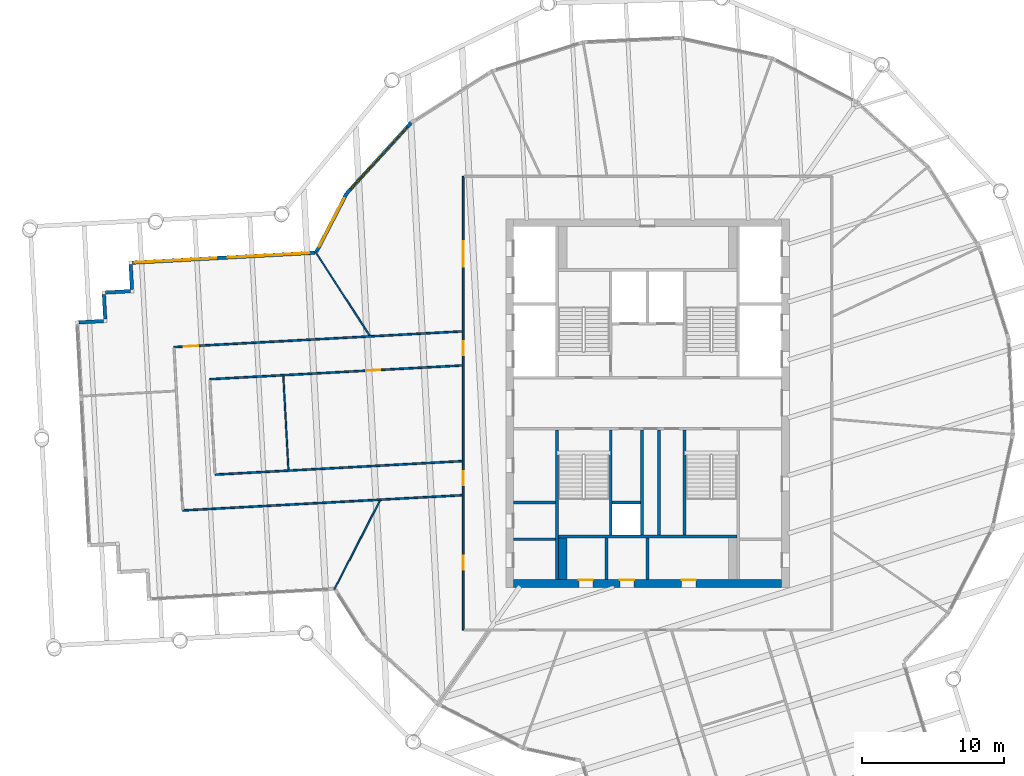
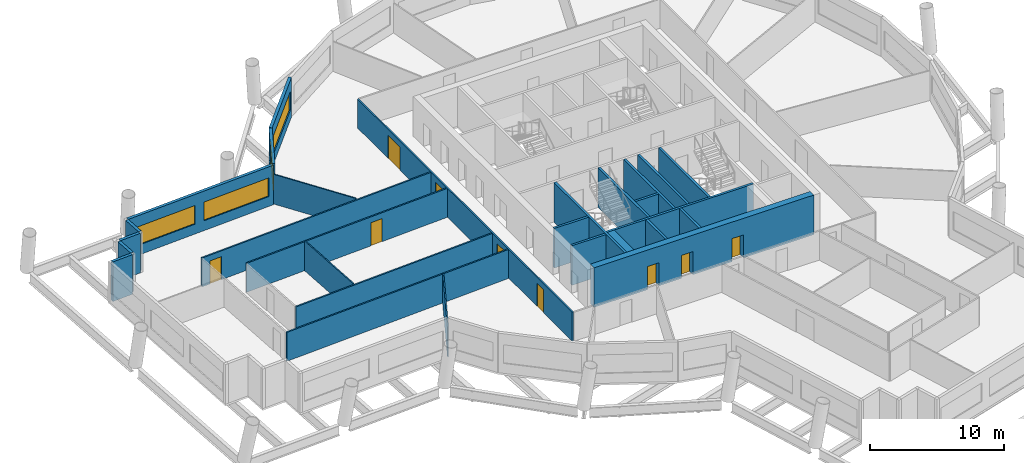
# One storey, part 4 of 11: 28 walls, 9 doors, 4 windows, 13 openings.
"""IFC4 building model written with IfcOpenShell, lengths in metres."""

from ifc_helpers import new_model, si_unit, direction, frame, frame_2d, origin, place, context, subcontext, project, spatial, rectangle, extrude, material, layer, layer_set, type_object, element, fill, save


model = new_model("IFC4")

# Units and contexts
model_context = context("Model", 3, precision=1e-05, world=origin(), true_north=direction((0.0, 1.0)))
body_context = subcontext(model_context, "Body", "Model", "MODEL_VIEW")
ifc_project = project(units=[si_unit("LENGTHUNIT", "METRE"), si_unit("AREAUNIT", "SQUARE_METRE"), si_unit("VOLUMEUNIT", "CUBIC_METRE"), si_unit("PLANEANGLEUNIT", "RADIAN"), si_unit("MASSUNIT", "GRAM", prefix="KILO")], contexts=[model_context])

# Site, building, storey
site_placement = place(None, origin())
site = spatial("IfcSite", under=ifc_project, at=site_placement, CompositionType="ELEMENT")
building_placement = place(site_placement, origin())
building = spatial("IfcBuilding", under=site, at=building_placement, Name="Tarsis Ring Headquarters", CompositionType="ELEMENT")
storey_placement = place(building_placement, frame((0.0, 0.0, 298.10009765625)))
storey = spatial("IfcBuildingStorey", under=building, at=storey_placement, Name="L70", CompositionType="ELEMENT", Elevation=298.10009765625)

# Walls
ifc_material_1 = material(Name="Blockwork", Category="masonry")
ifc_layer_1 = layer(ifc_material_1, 0.199951171875)
ifc_layer_set_1 = layer_set([ifc_layer_1], Name="Core blockwork wall 200")
wall_type_1 = type_object("IfcWallType", Name="Core blockwork wall 200", PredefinedType="PARTITIONING", material=ifc_layer_set_1)
for number, where, z_axis, x_axis, name in (
    (1, (-9.449951171875, -9.60009765625, 0.0), (0.0, 0.0, 1.0), (1.0, 0.0, 0.0), "Core partition WD1"),
    (2, (-9.449951171875, -7.0, 0.0), (0.0, 0.0, 1.0), (1.0, 0.0, 0.0), "Core partition WD2"),
    (3, (-2.89990234375, -12.449951171875, 0.0), (0.0, 0.0, 1.0), (0.0, 1.0, 0.0), "Core partition SD1"),
    (4, (0.0, -12.449951171875, 0.0), (0.0, 0.0, 1.0), (0.0, 1.0, 0.0), "Core partition SD2"),
):
    element("IfcWall", number, at=place(storey_placement, frame(where, z_axis=z_axis, x_axis=x_axis)), inside=storey, type_object=wall_type_1, Name=name, PredefinedType="PARTITIONING", context=body_context, shape_type="SweptSolid", body=[
        extrude(rectangle(XDim=2.949951171875, YDim=0.199951171875, at=frame_2d((1.47509765625, 0.0))), origin(), (0.0, 0.0, 1.0), 3.599853515625),
    ])
wall_1_placement = place(storey_placement, frame((-2.5, -7.0, 0.0), z_axis=(0.0, 0.0, 1.0), x_axis=(1.0, 0.0, 0.0)))
element("IfcWall", 5, at=wall_1_placement, inside=storey, type_object=wall_type_1, Name="Core partition SP1", PredefinedType="PARTITIONING", context=body_context, shape_type="SweptSolid", body=[
    extrude(rectangle(XDim=2.0, YDim=0.199951171875, at=frame_2d((1.0, 0.0))), origin(), (0.0, 0.0, 1.0), 3.599853515625),
])
for number, where, z_axis, x_axis, name in (
    (6, (-0.39990234375, -9.300048828125, 0.0), (0.0, 0.0, 1.0), (0.0, 1.0, 0.0), "Core partition SV1"),
    (7, (0.800048828125, -9.300048828125, 0.0), (0.0, 0.0, 1.0), (0.0, 1.0, 0.0), "Core partition SV2"),
):
    element("IfcWall", number, at=place(storey_placement, frame(where, z_axis=z_axis, x_axis=x_axis)), inside=storey, type_object=wall_type_1, Name=name, PredefinedType="PARTITIONING", context=body_context, shape_type="SweptSolid", body=[
        extrude(rectangle(XDim=7.400146484375, YDim=0.199951171875, at=frame_2d((3.7001953125, 0.0))), origin(), (0.0, 0.0, 1.0), 3.599853515625),
    ])

# Wall, openings, doors
ifc_material_2 = material(Name="Concrete C50/60", Category="concrete")
ifc_layer_2 = layer(ifc_material_2, 0.550048828125)
ifc_layer_set_2 = layer_set([ifc_layer_2], Name="Core wall 550 C50/60")
wall_type_2 = type_object("IfcWallType", Name="Core wall 550 C50/60", PredefinedType="SHEAR", material=ifc_layer_set_2)
wall_2_placement = place(storey_placement, frame((-9.449951171875, -12.72509765625, 0.0), z_axis=(0.0, 0.0, 1.0), x_axis=(1.0, 0.0, 0.0)))
wall_2 = element("IfcWall", 8, at=wall_2_placement, inside=storey, type_object=wall_type_2, Name="Core wall OS", PredefinedType="SHEAR", context=body_context, shape_type="SweptSolid", body=[
    extrude(rectangle(XDim=18.89990234375, YDim=0.550048828125, at=frame_2d((9.449951171875, 0.0))), origin(), (0.0, 0.0, 1.0), 3.599853515625),
])
opening_1_placement = place(wall_2_placement, frame((4.60009765625, 0.0, 0.0)))
opening_1 = element("IfcOpeningElement", 9, at=opening_1_placement, cuts=wall_2, Name="Opening L70-C17", PredefinedType="OPENING", context=body_context, shape_type="SweptSolid", body=[
    extrude(rectangle(XDim=1.0, YDim=2.10009765625, at=frame_2d((0.5, 1.050048828125))), frame((0.0, 0.284912109375, 0.0), z_axis=(0.0, -1.0, 0.0), x_axis=(1.0, 0.0, 0.0)), (0.0, 0.0, 1.0), 0.570068359375),
])
opening_2_placement = place(wall_2_placement, frame((7.5, 0.0, 0.0)))
opening_2 = element("IfcOpeningElement", 10, at=opening_2_placement, cuts=wall_2, Name="Opening L70-C18", PredefinedType="OPENING", context=body_context, shape_type="SweptSolid", body=[
    extrude(rectangle(XDim=1.0, YDim=2.10009765625, at=frame_2d((0.5, 1.050048828125))), frame((0.0, 0.284912109375, 0.0), z_axis=(0.0, -1.0, 0.0), x_axis=(1.0, 0.0, 0.0)), (0.0, 0.0, 1.0), 0.570068359375),
])
opening_3_placement = place(wall_2_placement, frame((11.85009765625, 0.0, 0.0)))
opening_3 = element("IfcOpeningElement", 11, at=opening_3_placement, cuts=wall_2, Name="Opening L70-C19", PredefinedType="OPENING", context=body_context, shape_type="SweptSolid", body=[
    extrude(rectangle(XDim=1.0, YDim=2.10009765625, at=frame_2d((0.5, 1.050048828125))), frame((0.0, 0.284912109375, 0.0), z_axis=(0.0, -1.0, 0.0), x_axis=(1.0, 0.0, 0.0)), (0.0, 0.0, 1.0), 0.570068359375),
])
ifc_material_3 = material(Name="Steel S355", Category="steel")
door_type_1 = type_object("IfcDoorType", Name="Core room door 1000x2100", OperationType="SINGLE_SWING_LEFT", PredefinedType="DOOR", material=ifc_material_3)
door_1_placement = place(opening_1_placement, origin())
door_1 = element("IfcDoor", 12, at=door_1_placement, inside=storey, type_object=door_type_1, Name="Core room door L70", OperationType="SINGLE_SWING_LEFT", OverallHeight=2.10009765625, OverallWidth=1.0, PredefinedType="DOOR", context=body_context, shape_type="SweptSolid", body=[
    extrude(rectangle(XDim=1.0, YDim=2.10009765625, at=frame_2d((0.5, 1.050048828125))), frame((0.0, 0.27490234375, 0.0), z_axis=(0.0, -1.0, 0.0), x_axis=(1.0, 0.0, 0.0)), (0.0, 0.0, 1.0), 0.050048828125),
])
fill(opening_1, door_1)
door_2_placement = place(opening_2_placement, origin())
door_2 = element("IfcDoor", 13, at=door_2_placement, inside=storey, type_object=door_type_1, Name="Core room door L70", OperationType="SINGLE_SWING_LEFT", OverallHeight=2.10009765625, OverallWidth=1.0, PredefinedType="DOOR", context=body_context, shape_type="SweptSolid", body=[
    extrude(rectangle(XDim=1.0, YDim=2.10009765625, at=frame_2d((0.5, 1.050048828125))), frame((0.0, 0.27490234375, 0.0), z_axis=(0.0, -1.0, 0.0), x_axis=(1.0, 0.0, 0.0)), (0.0, 0.0, 1.0), 0.050048828125),
])
fill(opening_2, door_2)
door_3_placement = place(opening_3_placement, origin())
door_3 = element("IfcDoor", 14, at=door_3_placement, inside=storey, type_object=door_type_1, Name="Core room door L70", OperationType="SINGLE_SWING_LEFT", OverallHeight=2.10009765625, OverallWidth=1.0, PredefinedType="DOOR", context=body_context, shape_type="SweptSolid", body=[
    extrude(rectangle(XDim=1.0, YDim=2.10009765625, at=frame_2d((0.5, 1.050048828125))), frame((0.0, 0.27490234375, 0.0), z_axis=(0.0, -1.0, 0.0), x_axis=(1.0, 0.0, 0.0)), (0.0, 0.0, 1.0), 0.050048828125),
])
fill(opening_3, door_3)

# Walls
ifc_material_4 = material(Name="Gypsum board on steel studs", Category="steel")
ifc_layer_3 = layer(ifc_material_4, 0.10009765625)
ifc_layer_set_3 = layer_set([ifc_layer_3], Name="FL partition 100 unrated")
wall_type_3 = type_object("IfcWallType", Name="FL partition 100 unrated", PredefinedType="PARTITIONING", material=ifc_layer_set_3)
wall_3_placement = place(storey_placement, frame((-22.096435546875, -13.147216796875, 0.0), z_axis=(0.0, 0.0, 1.0), x_axis=(0.456009340363, 0.889974989257, 0.0)))
element("IfcWall", 15, at=wall_3_placement, inside=storey, type_object=wall_type_3, Name="Partition PW3", PredefinedType="PARTITIONING", context=body_context, shape_type="SweptSolid", body=[
    extrude(rectangle(XDim=7.03271484375, YDim=0.10009765625, at=frame_2d((3.516357421875, 0.0))), origin(), (0.0, 0.0, 1.0), 2.699951171875),
])
wall_4_placement = place(storey_placement, frame((-23.41796875, 10.666259765625, 0.0), z_axis=(0.0, 0.0, 1.0), x_axis=(0.54272750268, -0.839908839002, 0.0)))
element("IfcWall", 16, at=wall_4_placement, inside=storey, type_object=wall_type_3, Name="Partition PW3", PredefinedType="PARTITIONING", context=body_context, shape_type="SweptSolid", body=[
    extrude(rectangle(XDim=6.997802734375, YDim=0.10009765625, at=frame_2d((3.4990234375, 0.0))), origin(), (0.0, 0.0, 1.0), 2.699951171875),
])
wall_5_placement = place(storey_placement, frame((-25.691650390625, 1.904541015625, 0.0), z_axis=(0.0, 0.0, 1.0), x_axis=(0.054412860163, -0.998518522937, 0.0)))
element("IfcWall", 17, at=wall_5_placement, inside=storey, type_object=wall_type_3, Name="Partition PW3", PredefinedType="PARTITIONING", context=body_context, shape_type="SweptSolid", body=[
    extrude(rectangle(XDim=6.60009765625, YDim=0.10009765625, at=frame_2d((3.300048828125, 0.0))), origin(), (0.0, 0.0, 1.0), 2.699951171875),
])

# Wall, openings, doors
ifc_layer_4 = layer(ifc_material_4, 0.125)
ifc_layer_set_4 = layer_set([ifc_layer_4], Name="FL partition 125 EI 60 H2630")
wall_type_4 = type_object("IfcWallType", Name="FL partition 125 EI 60 H2630", PredefinedType="PARTITIONING", material=ifc_layer_set_4)
wall_6_placement = place(storey_placement, frame((-13.0, -16.0, 0.0), z_axis=(0.0, 0.0, 1.0), x_axis=(0.0, 1.0, 0.0)))
wall_6 = element("IfcWall", 18, at=wall_6_placement, inside=storey, type_object=wall_type_4, Name="Partition PW1H263", PredefinedType="PARTITIONING", context=body_context, shape_type="SweptSolid", body=[
    extrude(rectangle(XDim=32.0, YDim=0.125, at=frame_2d((16.0, 0.0))), origin(), (0.0, 0.0, 1.0), 2.6298828125),
])
opening_4_placement = place(wall_6_placement, frame((25.635009765625, 0.0, 0.0)))
opening_4 = element("IfcOpeningElement", 19, at=opening_4_placement, cuts=wall_6, Name="Opening D70.03", PredefinedType="OPENING", context=body_context, shape_type="SweptSolid", body=[
    extrude(rectangle(XDim=1.800048828125, YDim=2.10009765625, at=frame_2d((0.89990234375, 1.050048828125))), frame((0.0, 0.072509765625, 0.0), z_axis=(0.0, -1.0, 0.0), x_axis=(1.0, 0.0, 0.0)), (0.0, 0.0, 1.0), 0.14501953125),
])
opening_5_placement = place(wall_6_placement, frame((4.25634765625, 0.0, 0.0)))
opening_5 = element("IfcOpeningElement", 20, at=opening_5_placement, cuts=wall_6, Name="Opening D70.14", PredefinedType="OPENING", context=body_context, shape_type="SweptSolid", body=[
    extrude(rectangle(XDim=1.0, YDim=2.10009765625, at=frame_2d((0.5, 1.050048828125))), frame((0.0, 0.072509765625, 0.0), z_axis=(0.0, -1.0, 0.0), x_axis=(1.0, 0.0, 0.0)), (0.0, 0.0, 1.0), 0.14501953125),
])
opening_6_placement = place(wall_6_placement, frame((10.214599609375, 0.0, 0.0)))
opening_6 = element("IfcOpeningElement", 21, at=opening_6_placement, cuts=wall_6, Name="Opening D70.21", PredefinedType="OPENING", context=body_context, shape_type="SweptSolid", body=[
    extrude(rectangle(XDim=1.0, YDim=2.10009765625, at=frame_2d((0.5, 1.050048828125))), frame((0.0, 0.072509765625, 0.0), z_axis=(0.0, -1.0, 0.0), x_axis=(1.0, 0.0, 0.0)), (0.0, 0.0, 1.0), 0.14501953125),
])
opening_7_placement = place(wall_6_placement, frame((19.3681640625, 0.0, 0.0)))
opening_7 = element("IfcOpeningElement", 22, at=opening_7_placement, cuts=wall_6, Name="Opening D70.22", PredefinedType="OPENING", context=body_context, shape_type="SweptSolid", body=[
    extrude(rectangle(XDim=1.0, YDim=2.10009765625, at=frame_2d((0.5, 1.050048828125))), frame((0.0, 0.072509765625, 0.0), z_axis=(0.0, -1.0, 0.0), x_axis=(1.0, 0.0, 0.0)), (0.0, 0.0, 1.0), 0.14501953125),
])
ifc_material_5 = material(Name="Fire-rated timber door leaf in steel frame", Category="steel")
door_type_2 = type_object("IfcDoorType", Name="FL door FD60-1000", OperationType="NOTDEFINED", PredefinedType="DOOR", material=ifc_material_5)
door_4_placement = place(opening_5_placement, origin())
door_4 = element("IfcDoor", 23, at=door_4_placement, inside=storey, type_object=door_type_2, Name="Door D70.14", OperationType="SINGLE_SWING_RIGHT", OverallHeight=2.10009765625, OverallWidth=1.0, PredefinedType="DOOR", context=body_context, shape_type="SweptSolid", body=[
    extrude(rectangle(XDim=1.0, YDim=2.10009765625, at=frame_2d((0.5, 1.050048828125))), frame((0.0, 0.02490234375, 0.0), z_axis=(0.0, -1.0, 0.0), x_axis=(1.0, 0.0, 0.0)), (0.0, 0.0, 1.0), 0.050048828125),
])
fill(opening_5, door_4)
door_5_placement = place(opening_6_placement, origin())
door_5 = element("IfcDoor", 24, at=door_5_placement, inside=storey, type_object=door_type_2, Name="Door D70.21", OperationType="SINGLE_SWING_LEFT", OverallHeight=2.10009765625, OverallWidth=1.0, PredefinedType="DOOR", context=body_context, shape_type="SweptSolid", body=[
    extrude(rectangle(XDim=1.0, YDim=2.10009765625, at=frame_2d((0.5, 1.050048828125))), frame((0.0, 0.02490234375, 0.0), z_axis=(0.0, -1.0, 0.0), x_axis=(1.0, 0.0, 0.0)), (0.0, 0.0, 1.0), 0.050048828125),
])
fill(opening_6, door_5)
door_6_placement = place(opening_7_placement, origin())
door_6 = element("IfcDoor", 25, at=door_6_placement, inside=storey, type_object=door_type_2, Name="Door D70.22", OperationType="SINGLE_SWING_RIGHT", OverallHeight=2.10009765625, OverallWidth=1.0, PredefinedType="DOOR", context=body_context, shape_type="SweptSolid", body=[
    extrude(rectangle(XDim=1.0, YDim=2.10009765625, at=frame_2d((0.5, 1.050048828125))), frame((0.0, 0.02490234375, 0.0), z_axis=(0.0, -1.0, 0.0), x_axis=(1.0, 0.0, 0.0)), (0.0, 0.0, 1.0), 0.050048828125),
])
fill(opening_7, door_6)
door_type_3 = type_object("IfcDoorType", Name="FL door FD60-1800", OperationType="DOUBLE_DOOR_SINGLE_SWING", PredefinedType="DOOR", material=ifc_material_5)
door_7_placement = place(opening_4_placement, origin())
door_7 = element("IfcDoor", 26, at=door_7_placement, inside=storey, type_object=door_type_3, Name="Door D70.03", OperationType="DOUBLE_DOOR_SINGLE_SWING", OverallHeight=2.10009765625, OverallWidth=1.800048828125, PredefinedType="DOOR", context=body_context, shape_type="SweptSolid", body=[
    extrude(rectangle(XDim=1.800048828125, YDim=2.10009765625, at=frame_2d((0.89990234375, 1.050048828125))), frame((0.0, 0.02490234375, 0.0), z_axis=(0.0, -1.0, 0.0), x_axis=(1.0, 0.0, 0.0)), (0.0, 0.0, 1.0), 0.050048828125),
])
fill(opening_4, door_7)

# Wall, opening, door
wall_7_placement = place(storey_placement, frame((-33.40478515625, 3.957763671875, 0.0), z_axis=(0.0, 0.0, 1.0), x_axis=(0.99851779347, 0.054426244806, 0.0)))
wall_7 = element("IfcWall", 27, at=wall_7_placement, inside=storey, type_object=wall_type_4, Name="Partition PW1H263", PredefinedType="PARTITIONING", context=body_context, shape_type="SweptSolid", body=[
    extrude(rectangle(XDim=20.365234375, YDim=0.125, at=frame_2d((10.1826171875, 0.0))), origin(), (0.0, 0.0, 1.0), 2.6298828125),
])
opening_8_placement = place(wall_7_placement, frame((0.699951171875, 0.0, 0.0)))
opening_8 = element("IfcOpeningElement", 28, at=opening_8_placement, cuts=wall_7, Name="Opening D70.02", PredefinedType="OPENING", context=body_context, shape_type="SweptSolid", body=[
    extrude(rectangle(XDim=1.0, YDim=2.10009765625, at=frame_2d((0.5, 1.050048828125))), frame((0.0, 0.072509765625, 0.0), z_axis=(0.0, -1.0, 0.0), x_axis=(1.0, 0.0, 0.0)), (0.0, 0.0, 1.0), 0.14501953125),
])
door_8_placement = place(opening_8_placement, origin())
door_8 = element("IfcDoor", 29, at=door_8_placement, inside=storey, type_object=door_type_2, Name="Door D70.02", OperationType="SINGLE_SWING_RIGHT", OverallHeight=2.10009765625, OverallWidth=1.0, PredefinedType="DOOR", context=body_context, shape_type="SweptSolid", body=[
    extrude(rectangle(XDim=1.0, YDim=2.10009765625, at=frame_2d((0.5, 1.050048828125))), frame((0.0, 0.02490234375, 0.0), z_axis=(0.0, -1.0, 0.0), x_axis=(1.0, 0.0, 0.0)), (0.0, 0.0, 1.0), 0.050048828125),
])
fill(opening_8, door_8)

# Wall
wall_8_placement = place(storey_placement, frame((-32.77685546875, -7.565185546875, 0.0), z_axis=(0.0, 0.0, 1.0), x_axis=(0.998517664329, 0.054428614012, 0.0)))
element("IfcWall", 30, at=wall_8_placement, inside=storey, type_object=wall_type_4, Name="Partition PW1H263", PredefinedType="PARTITIONING", context=body_context, shape_type="SweptSolid", body=[
    extrude(rectangle(XDim=19.736328125, YDim=0.125, at=frame_2d((9.8681640625, 0.0))), origin(), (0.0, 0.0, 1.0), 2.6298828125),
])

# Wall, opening, door
wall_9_placement = place(storey_placement, frame((-30.8779296875, 1.69189453125, 0.0), z_axis=(0.0, 0.0, 1.0), x_axis=(0.9985176835, 0.054428262312, 0.0)))
wall_9 = element("IfcWall", 31, at=wall_9_placement, inside=storey, type_object=wall_type_4, Name="Partition PW1H263", PredefinedType="PARTITIONING", context=body_context, shape_type="SweptSolid", body=[
    extrude(rectangle(XDim=17.83447265625, YDim=0.125, at=frame_2d((8.917236328125, 0.0))), origin(), (0.0, 0.0, 1.0), 2.6298828125),
])
opening_9_placement = place(wall_9_placement, frame((11.04931640625, 0.0, 0.0)))
opening_9 = element("IfcOpeningElement", 32, at=opening_9_placement, cuts=wall_9, Name="Opening D70.15", PredefinedType="OPENING", context=body_context, shape_type="SweptSolid", body=[
    extrude(rectangle(XDim=1.0, YDim=2.10009765625, at=frame_2d((0.5, 1.050048828125))), frame((0.0, 0.072509765625, 0.0), z_axis=(0.0, -1.0, 0.0), x_axis=(1.0, 0.0, 0.0)), (0.0, 0.0, 1.0), 0.14501953125),
])
door_9_placement = place(opening_9_placement, origin())
door_9 = element("IfcDoor", 33, at=door_9_placement, inside=storey, type_object=door_type_2, Name="Door D70.15", OperationType="SINGLE_SWING_LEFT", OverallHeight=2.10009765625, OverallWidth=1.0, PredefinedType="DOOR", context=body_context, shape_type="SweptSolid", body=[
    extrude(rectangle(XDim=1.0, YDim=2.10009765625, at=frame_2d((0.5, 1.050048828125))), frame((0.0, 0.02490234375, 0.0), z_axis=(0.0, -1.0, 0.0), x_axis=(1.0, 0.0, 0.0)), (0.0, 0.0, 1.0), 0.050048828125),
])
fill(opening_9, door_9)

# Wall
wall_10_placement = place(storey_placement, frame((-30.510986328125, -5.0380859375, 0.0), z_axis=(0.0, 0.0, 1.0), x_axis=(0.998517738861, 0.054427246674, 0.0)))
element("IfcWall", 34, at=wall_10_placement, inside=storey, type_object=wall_type_4, Name="Partition PW1H263", PredefinedType="PARTITIONING", context=body_context, shape_type="SweptSolid", body=[
    extrude(rectangle(XDim=17.467041015625, YDim=0.125, at=frame_2d((8.7333984375, 0.0))), origin(), (0.0, 0.0, 1.0), 2.6298828125),
])

# Wall, opening, window
ifc_material_6 = material(Name="Terracotta clad insulated panel wall", Category="masonry")
ifc_layer_5 = layer(ifc_material_6, 0.25)
ifc_layer_set_5 = layer_set([ifc_layer_5], Name="Facade wall terracotta panel 250")
wall_type_5 = type_object("IfcWallType", Name="Facade wall terracotta panel 250", PredefinedType="STANDARD", material=ifc_layer_set_5)
wall_11_placement = place(storey_placement, frame((-16.68408203125, 19.7734375, 0.0), z_axis=(0.0, 0.0, 1.0), x_axis=(-0.67404023648, -0.738694632176, 0.0)))
wall_11 = element("IfcWall", 35, at=wall_11_placement, inside=storey, type_object=wall_type_5, Name="External wall L70-29", PredefinedType="STANDARD", context=body_context, shape_type="SweptSolid", body=[
    extrude(rectangle(XDim=6.721435546875, YDim=0.25, at=frame_2d((3.36083984375, 0.0))), origin(), (0.0, 0.0, 1.0), 3.599853515625),
])
opening_10_placement = place(wall_11_placement, frame((0.3857421875, 0.0, 0.89990234375)))
opening_10 = element("IfcOpeningElement", 36, at=opening_10_placement, cuts=wall_11, Name="Opening WN07", PredefinedType="OPENING", context=body_context, shape_type="SweptSolid", body=[
    extrude(rectangle(XDim=5.949951171875, YDim=1.699951171875, at=frame_2d((2.97509765625, 0.85009765625))), frame((0.0, 0.135009765625, 0.0), z_axis=(0.0, -1.0, 0.0), x_axis=(1.0, 0.0, 0.0)), (0.0, 0.0, 1.0), 0.27001953125),
])
ifc_material_7 = material(Name="Aluminium framed double glazing", Category="aluminium")
window_type_1 = type_object("IfcWindowType", Name="Facade window 5950 x 1700", PartitioningType="SINGLE_PANEL", PredefinedType="WINDOW", material=ifc_material_7)
window_1_placement = place(opening_10_placement, origin())
window_1 = element("IfcWindow", 37, at=window_1_placement, inside=storey, type_object=window_type_1, Name="Window L70-29.1", OverallHeight=1.699951171875, OverallWidth=5.949951171875, PartitioningType="SINGLE_PANEL", PredefinedType="WINDOW", context=body_context, shape_type="SweptSolid", body=[
    extrude(rectangle(XDim=5.949951171875, YDim=1.699951171875, at=frame_2d((2.97509765625, 0.85009765625))), frame((0.0, 0.030029296875, 0.0), z_axis=(0.0, -1.0, 0.0), x_axis=(1.0, 0.0, 0.0)), (0.0, 0.0, 1.0), 0.06005859375),
])
fill(opening_10, window_1)

wall_12_placement = place(storey_placement, frame((-21.2333984375, 14.78173828125, 0.0), z_axis=(0.0, 0.0, 1.0), x_axis=(-0.459857225462, -0.887992867195, 0.0)))
wall_12 = element("IfcWall", 38, at=wall_12_placement, inside=storey, type_object=wall_type_5, Name="External wall L70-30", PredefinedType="STANDARD", context=body_context, shape_type="SweptSolid", body=[
    extrude(rectangle(XDim=4.617919921875, YDim=0.25, at=frame_2d((2.30908203125, 0.0))), origin(), (0.0, 0.0, 1.0), 3.599853515625),
])
opening_11_placement = place(wall_12_placement, frame((0.367431640625, 0.0, 0.89990234375)))
opening_11 = element("IfcOpeningElement", 39, at=opening_11_placement, cuts=wall_12, Name="Opening WN02", PredefinedType="OPENING", context=body_context, shape_type="SweptSolid", body=[
    extrude(rectangle(XDim=3.85009765625, YDim=1.699951171875, at=frame_2d((1.925048828125, 0.85009765625))), frame((0.0, 0.135009765625, 0.0), z_axis=(0.0, -1.0, 0.0), x_axis=(1.0, 0.0, 0.0)), (0.0, 0.0, 1.0), 0.27001953125),
])
window_type_2 = type_object("IfcWindowType", Name="Facade window 3850 x 1700", PartitioningType="SINGLE_PANEL", PredefinedType="WINDOW", material=ifc_material_7)
window_2_placement = place(opening_11_placement, origin())
window_2 = element("IfcWindow", 40, at=window_2_placement, inside=storey, type_object=window_type_2, Name="Window L70-30.1", OverallHeight=1.699951171875, OverallWidth=3.85009765625, PartitioningType="SINGLE_PANEL", PredefinedType="WINDOW", context=body_context, shape_type="SweptSolid", body=[
    extrude(rectangle(XDim=3.85009765625, YDim=1.699951171875, at=frame_2d((1.925048828125, 0.85009765625))), frame((0.0, 0.030029296875, 0.0), z_axis=(0.0, -1.0, 0.0), x_axis=(1.0, 0.0, 0.0)), (0.0, 0.0, 1.0), 0.06005859375),
])
fill(opening_11, window_2)

# Wall, openings, windows
wall_13_placement = place(storey_placement, frame((-23.461181640625, 10.61376953125, 0.0), z_axis=(0.0, 0.0, 1.0), x_axis=(-0.998517859009, -0.054425042405, 0.0)))
wall_13 = element("IfcWall", 41, at=wall_13_placement, inside=storey, type_object=wall_type_5, Name="External wall L70-31", PredefinedType="STANDARD", context=body_context, shape_type="SweptSolid", body=[
    extrude(rectangle(XDim=12.901123046875, YDim=0.25, at=frame_2d((6.45068359375, 0.0))), origin(), (0.0, 0.0, 1.0), 3.599853515625),
])
opening_12_placement = place(wall_13_placement, frame((0.412841796875, 0.0, 0.89990234375)))
opening_12 = element("IfcOpeningElement", 42, at=opening_12_placement, cuts=wall_13, Name="Opening WN06", PredefinedType="OPENING", context=body_context, shape_type="SweptSolid", body=[
    extrude(rectangle(XDim=5.75, YDim=1.699951171875, at=frame_2d((2.875, 0.85009765625))), frame((0.0, 0.135009765625, 0.0), z_axis=(0.0, -1.0, 0.0), x_axis=(1.0, 0.0, 0.0)), (0.0, 0.0, 1.0), 0.27001953125),
])
opening_13_placement = place(wall_13_placement, frame((6.988525390625, 0.0, 0.89990234375)))
opening_13 = element("IfcOpeningElement", 43, at=opening_13_placement, cuts=wall_13, Name="Opening WN06", PredefinedType="OPENING", context=body_context, shape_type="SweptSolid", body=[
    extrude(rectangle(XDim=5.75, YDim=1.699951171875, at=frame_2d((2.875, 0.85009765625))), frame((0.0, 0.135009765625, 0.0), z_axis=(0.0, -1.0, 0.0), x_axis=(1.0, 0.0, 0.0)), (0.0, 0.0, 1.0), 0.27001953125),
])
window_type_3 = type_object("IfcWindowType", Name="Facade window 5750 x 1700", PartitioningType="SINGLE_PANEL", PredefinedType="WINDOW", material=ifc_material_7)
window_3_placement = place(opening_12_placement, origin())
window_3 = element("IfcWindow", 44, at=window_3_placement, inside=storey, type_object=window_type_3, Name="Window L70-31.1", OverallHeight=1.699951171875, OverallWidth=5.75, PartitioningType="SINGLE_PANEL", PredefinedType="WINDOW", context=body_context, shape_type="SweptSolid", body=[
    extrude(rectangle(XDim=5.75, YDim=1.699951171875, at=frame_2d((2.875, 0.85009765625))), frame((0.0, 0.030029296875, 0.0), z_axis=(0.0, -1.0, 0.0), x_axis=(1.0, 0.0, 0.0)), (0.0, 0.0, 1.0), 0.06005859375),
])
fill(opening_12, window_3)
window_4_placement = place(opening_13_placement, origin())
window_4 = element("IfcWindow", 45, at=window_4_placement, inside=storey, type_object=window_type_3, Name="Window L70-31.2", OverallHeight=1.699951171875, OverallWidth=5.75, PartitioningType="SINGLE_PANEL", PredefinedType="WINDOW", context=body_context, shape_type="SweptSolid", body=[
    extrude(rectangle(XDim=5.75, YDim=1.699951171875, at=frame_2d((2.875, 0.85009765625))), frame((0.0, 0.030029296875, 0.0), z_axis=(0.0, -1.0, 0.0), x_axis=(1.0, 0.0, 0.0)), (0.0, 0.0, 1.0), 0.06005859375),
])
fill(opening_13, window_4)

# Walls
for number, where, z_axis, x_axis, name in (
    (46, (-36.46142578125, 9.780029296875, 0.0), (0.0, 0.0, 1.0), (0.054411381218, -0.998518603529, 0.0), "External wall L70-32"),
    (47, (-36.484130859375, 7.90087890625, 0.0), (0.0, 0.0, 1.0), (-0.998518603529, -0.054411381218, 0.0), "External wall L70-33"),
    (48, (-38.349609375, 7.674072265625, 0.0), (0.0, 0.0, 1.0), (0.054411381218, -0.998518603529, 0.0), "External wall L70-34"),
    (49, (-38.372314453125, 5.795166015625, 0.0), (0.0, 0.0, 1.0), (-0.998518603529, -0.054411381218, 0.0), "External wall L70-35"),
):
    element("IfcWall", number, at=place(storey_placement, frame(where, z_axis=z_axis, x_axis=x_axis)), inside=storey, type_object=wall_type_5, Name=name, PredefinedType="STANDARD", context=body_context, shape_type="SweptSolid", body=[
        extrude(rectangle(XDim=1.75, YDim=0.25, at=frame_2d((0.875, 0.0))), origin(), (0.0, 0.0, 1.0), 3.599853515625),
    ])
ifc_material_8 = material(Name="Concrete C32/40", Category="concrete")
ifc_layer_6 = layer(ifc_material_8, 0.60009765625)
ifc_layer_set_6 = layer_set([ifc_layer_6], Name="Shaft end wall 600 C32/40")
wall_type_6 = type_object("IfcWallType", Name="Shaft end wall 600 C32/40", PredefinedType="SOLIDWALL", material=ifc_layer_set_6)
wall_14_placement = place(storey_placement, frame((-6.0, -12.449951171875, 0.0), z_axis=(0.0, 0.0, 1.0), x_axis=(0.0, 1.0, 0.0)))
element("IfcWall", 50, at=wall_14_placement, inside=storey, type_object=wall_type_6, Name="Core shaft wall SNE1", PredefinedType="SOLIDWALL", context=body_context, shape_type="SweptSolid", body=[
    extrude(rectangle(XDim=2.949951171875, YDim=0.60009765625, at=frame_2d((1.47509765625, 0.0))), origin(), (0.0, 0.0, 1.0), 3.599853515625),
])
ifc_layer_7 = layer(ifc_material_8, 0.199951171875)
ifc_layer_set_7 = layer_set([ifc_layer_7], Name="Shaft wall 200 C32/40")
wall_type_7 = type_object("IfcWallType", Name="Shaft wall 200 C32/40", PredefinedType="SOLIDWALL", material=ifc_layer_set_7)
wall_15_placement = place(storey_placement, frame((-6.39990234375, -12.449951171875, 0.0), z_axis=(0.0, 0.0, 1.0), x_axis=(0.0, 1.0, 0.0)))
element("IfcWall", 51, at=wall_15_placement, inside=storey, type_object=wall_type_7, Name="Core shaft wall WB1", PredefinedType="SOLIDWALL", context=body_context, shape_type="SweptSolid", body=[
    extrude(rectangle(XDim=10.550048828125, YDim=0.199951171875, at=frame_2d((5.27490234375, 0.0))), origin(), (0.0, 0.0, 1.0), 3.599853515625),
])
wall_16_placement = place(storey_placement, frame((-6.300048828125, -9.39990234375, 0.0), z_axis=(0.0, 0.0, 1.0), x_axis=(1.0, 0.0, 0.0)))
element("IfcWall", 52, at=wall_16_placement, inside=storey, type_object=wall_type_7, Name="Core shaft wall SB", PredefinedType="SOLIDWALL", context=body_context, shape_type="SweptSolid", body=[
    extrude(rectangle(XDim=12.60009765625, YDim=0.199951171875, at=frame_2d((6.300048828125, 0.0))), origin(), (0.0, 0.0, 1.0), 3.599853515625),
])
for number, where, z_axis, x_axis, name in (
    (53, (-2.60009765625, -9.300048828125, 0.0), (0.0, 0.0, 1.0), (0.0, 1.0, 0.0), "Core shaft wall SW3"),
    (54, (2.60009765625, -9.300048828125, 0.0), (0.0, 0.0, 1.0), (0.0, 1.0, 0.0), "Core shaft wall SW4"),
):
    element("IfcWall", number, at=place(storey_placement, frame(where, z_axis=z_axis, x_axis=x_axis)), inside=storey, type_object=wall_type_7, Name=name, PredefinedType="SOLIDWALL", context=body_context, shape_type="SweptSolid", body=[
        extrude(rectangle(XDim=7.400146484375, YDim=0.199951171875, at=frame_2d((3.7001953125, 0.0))), origin(), (0.0, 0.0, 1.0), 3.599853515625),
    ])

save(model, "model.ifc")
